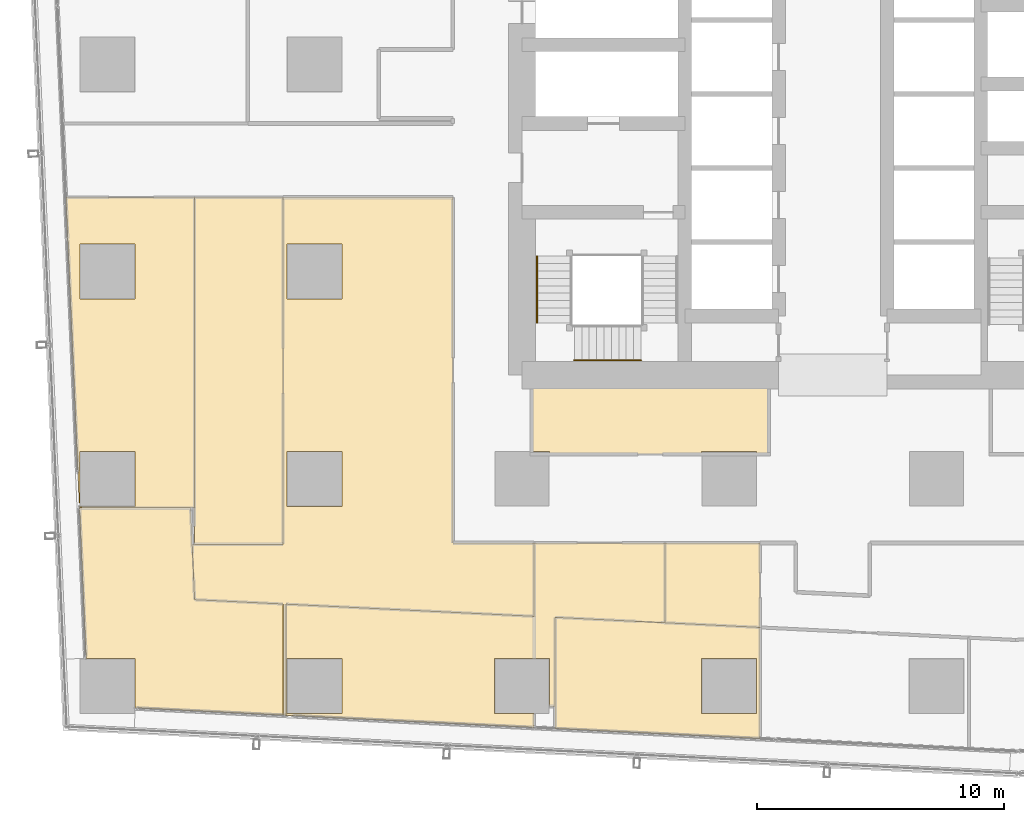
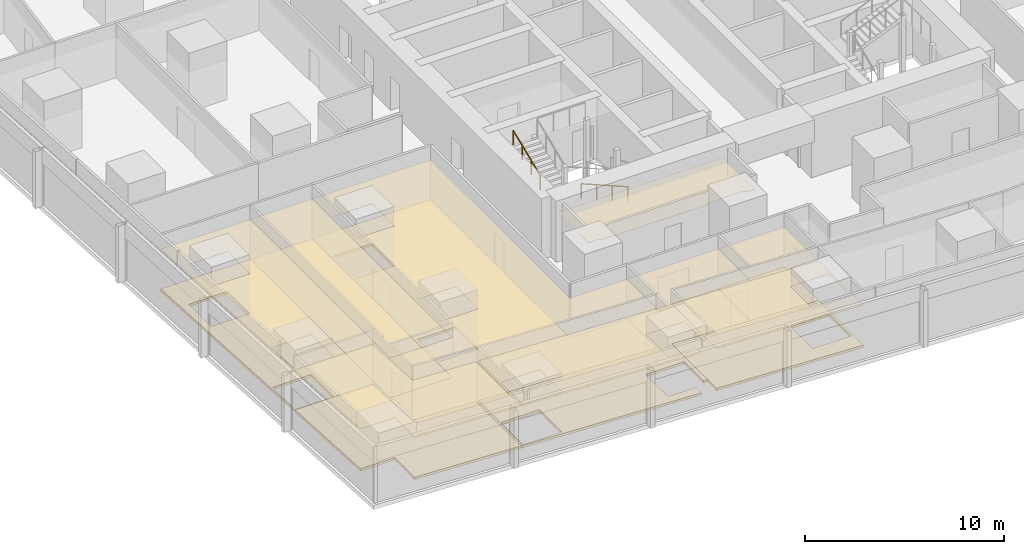
# One storey, part 37 of 45: 15 coverings, 2 railings.
"""IFC4 building model written with IfcOpenShell, lengths in metres."""

from ifc_helpers import new_model, si_unit, direction, frame, origin, origin_2d, place, context, subcontext, project, spatial, polyline, circle, outline, extrude, material, layer, layer_set, type_object, element, save


model = new_model("IFC4")

# Units and contexts
model_context = context("Model", 3, precision=1e-05, world=origin(), true_north=direction((0.0, 1.0)))
body_context = subcontext(model_context, "Body", "Model", "MODEL_VIEW")
ifc_project = project(units=[si_unit("LENGTHUNIT", "METRE"), si_unit("AREAUNIT", "SQUARE_METRE"), si_unit("VOLUMEUNIT", "CUBIC_METRE"), si_unit("PLANEANGLEUNIT", "RADIAN"), si_unit("MASSUNIT", "GRAM", prefix="KILO")], contexts=[model_context])

# Site, building, storey
site_placement = place(None, origin())
site = spatial("IfcSite", under=ifc_project, at=site_placement, CompositionType="ELEMENT")
building_placement = place(site_placement, origin())
building = spatial("IfcBuilding", under=site, at=building_placement, Name="Rekha Terrace Tower", CompositionType="ELEMENT")
storey_placement = place(building_placement, frame((0.0, 0.0, 36.64990234375)))
storey = spatial("IfcBuildingStorey", under=building, at=storey_placement, Name="L08", CompositionType="ELEMENT", Elevation=36.64990234375)

# Coverings
ifc_material_1 = material(Name="Mineral fibre tile in exposed grid", Category="finish")
ifc_layer_1 = layer(ifc_material_1, 0.02001953125)
ifc_layer_set_1 = layer_set([ifc_layer_1], Name="Mineral fibre tile in exposed grid")
covering_type_1 = type_object("IfcCoveringType", Name="CL1 600x1200 office grid ceiling", PredefinedType="CEILING", material=ifc_layer_set_1)
covering_1_placement = place(storey_placement, frame((0.0, 0.0, 2.580078125)))
element("IfcCovering", 1, at=covering_1_placement, inside=storey, type_object=covering_type_1, Name="Ceiling L08-06", PredefinedType="CEILING", context=body_context, shape_type="SweptSolid", body=[
    extrude(outline(polyline([(34.840087890625, 6.27392578125), (34.840087890625, 10.780029296875), (26.548095703125, 11.18701171875), (26.548095703125, 6.680908203125), (34.840087890625, 6.27392578125)]), holes=[polyline([(34.715087890625, 7.284912109375), (32.485107421875, 7.284912109375), (32.485107421875, 9.514892578125), (34.715087890625, 9.514892578125), (34.715087890625, 7.284912109375)])]), origin(), (0.0, 0.0, 1.0), 0.02001953125),
])
covering_2_placement = place(storey_placement, frame((0.0, 0.0, 2.580078125)))
element("IfcCovering", 2, at=covering_2_placement, inside=storey, type_object=covering_type_1, Name="Ceiling L08-07", PredefinedType="CEILING", context=body_context, shape_type="SweptSolid", body=[
    extrude(outline(polyline([(25.697021484375, 14.199951171875), (25.697021484375, 11.22900390625), (15.64306640625, 11.721923828125), (15.64306640625, 7.217041015625), (25.696044921875, 6.722900390625), (25.696044921875, 7.284912109375), (24.0849609375, 7.284912109375), (24.0849609375, 9.514892578125), (26.31494140625, 9.514892578125), (26.31494140625, 7.583984375), (26.548095703125, 7.583984375), (26.548095703125, 11.18701171875), (31.0, 10.968017578125), (31.0, 14.199951171875), (25.697021484375, 14.199951171875)]), holes=[polyline([(17.9150390625, 7.284912109375), (15.68505859375, 7.284912109375), (15.68505859375, 9.514892578125), (17.9150390625, 9.514892578125), (17.9150390625, 7.284912109375)])]), origin(), (0.0, 0.0, 1.0), 0.02001953125),
])
covering_3_placement = place(storey_placement, frame((0.0, 0.0, 2.580078125)))
element("IfcCovering", 3, at=covering_3_placement, inside=storey, type_object=covering_type_1, Name="Ceiling L08-08", PredefinedType="CEILING", context=body_context, shape_type="SweptSolid", body=[
    extrude(outline(polyline([(34.840087890625, 10.780029296875), (34.840087890625, 14.199951171875), (31.0, 14.199951171875), (31.0, 10.968017578125), (34.840087890625, 10.780029296875)])), origin(), (0.0, 0.0, 1.0), 0.02001953125),
])
covering_4_placement = place(storey_placement, frame((0.0, 0.0, 2.580078125)))
element("IfcCovering", 4, at=covering_4_placement, inside=storey, type_object=covering_type_1, Name="Ceiling L08-22", PredefinedType="CEILING", context=body_context, shape_type="SweptSolid", body=[
    extrude(outline(polyline([(7.258056640625, 15.820068359375), (7.284912109375, 15.821044921875), (7.284912109375, 17.9150390625), (9.514892578125, 17.9150390625), (9.514892578125, 15.68505859375), (7.263916015625, 15.68505859375), (7.26611328125, 15.64306640625), (11.93408203125, 15.64306640625), (11.93408203125, 28.199951171875), (6.717041015625, 28.199951171875), (6.79296875, 26.448974609375), (7.157958984375, 18.116943359375), (7.258056640625, 15.820068359375)]), holes=[polyline([(9.514892578125, 24.0849609375), (7.284912109375, 24.0849609375), (7.284912109375, 26.31494140625), (9.514892578125, 26.31494140625), (9.514892578125, 24.0849609375)])]), origin(), (0.0, 0.0, 1.0), 0.02001953125),
])
covering_5_placement = place(storey_placement, frame((0.0, 0.0, 2.580078125)))
element("IfcCovering", 5, at=covering_5_placement, inside=storey, type_object=covering_type_1, Name="Ceiling L08-23", PredefinedType="CEILING", context=body_context, shape_type="SweptSolid", body=[
    extrude(outline(polyline([(11.93408203125, 11.904052734375), (11.77001953125, 15.64306640625), (7.26611328125, 15.64306640625), (7.533935546875, 9.514892578125), (9.514892578125, 9.514892578125), (9.514892578125, 7.51806640625), (15.52392578125, 7.222900390625), (15.52392578125, 11.72802734375), (11.93408203125, 11.904052734375)])), origin(), (0.0, 0.0, 1.0), 0.02001953125),
])
covering_6_placement = place(storey_placement, frame((0.0, 0.0, 2.580078125)))
element("IfcCovering", 6, at=covering_6_placement, inside=storey, type_object=covering_type_1, Name="Ceiling L08-24", PredefinedType="CEILING", context=body_context, shape_type="SweptSolid", body=[
    extrude(outline(polyline([(11.93408203125, 14.14990234375), (15.52392578125, 14.14990234375), (15.52392578125, 28.199951171875), (11.93408203125, 28.199951171875), (11.93408203125, 14.14990234375)])), origin(), (0.0, 0.0, 1.0), 0.02001953125),
])
covering_7_placement = place(storey_placement, frame((0.0, 0.0, 2.580078125)))
element("IfcCovering", 7, at=covering_7_placement, inside=storey, type_object=covering_type_1, Name="Ceiling L08-O6", PredefinedType="CEILING", context=body_context, shape_type="SweptSolid", body=[
    extrude(outline(polyline([(15.52392578125, 28.199951171875), (15.52392578125, 14.14990234375), (11.8349609375, 14.14990234375), (11.93408203125, 11.904052734375), (15.52392578125, 11.72802734375), (15.52392578125, 7.222900390625), (15.64306640625, 7.217041015625), (15.64306640625, 11.721923828125), (25.697021484375, 11.22900390625), (25.697021484375, 14.199951171875), (22.39990234375, 14.199951171875), (22.39990234375, 28.199951171875), (15.52392578125, 28.199951171875)]), holes=[polyline([(17.9150390625, 15.68505859375), (15.68505859375, 15.68505859375), (15.68505859375, 17.9150390625), (17.9150390625, 17.9150390625), (17.9150390625, 15.68505859375)]), polyline([(17.9150390625, 24.0849609375), (15.68505859375, 24.0849609375), (15.68505859375, 26.31494140625), (17.9150390625, 26.31494140625), (17.9150390625, 24.0849609375)])]), origin(), (0.0, 0.0, 1.0), 0.02001953125),
])
ifc_material_2 = material(Name="Fibre cement board", Category="finish")
ifc_layer_2 = layer(ifc_material_2, 0.014892578125)
ifc_layer_set_2 = layer_set([ifc_layer_2], Name="Fibre cement board")
covering_type_2 = type_object("IfcCoveringType", Name="CL2 moisture-resistant board ceiling", PredefinedType="CEILING", material=ifc_layer_set_2)
covering_8_placement = place(storey_placement, frame((0.0, 0.0, 2.585205078125)))
element("IfcCovering", 8, at=covering_8_placement, inside=storey, type_object=covering_type_2, Name="Ceiling L08-WCM", PredefinedType="CEILING", context=body_context, shape_type="SweptSolid", body=[
    extrude(outline(polyline([(35.199951171875, 21.0), (25.60009765625, 21.0), (25.60009765625, 17.9150390625), (26.31494140625, 17.9150390625), (26.31494140625, 17.800048828125), (32.485107421875, 17.800048828125), (32.485107421875, 17.9150390625), (34.715087890625, 17.9150390625), (34.715087890625, 17.800048828125), (35.199951171875, 17.800048828125), (35.199951171875, 21.0)])), origin(), (0.0, 0.0, 1.0), 0.014892578125),
])

# Railings
ifc_material_3 = material(Name="Stainless steel tube", Category="steel")
railing_type = type_object("IfcRailingType", Name="HR1 900 stair handrail", PredefinedType="HANDRAIL", material=ifc_material_3)
railing_1_placement = place(storey_placement, frame((30.02490234375, 21.610107421875, 1.375)))
element("IfcRailing", 9, at=railing_1_placement, inside=storey, type_object=railing_type, Name="Handrail ST1 L08 flight 2", PredefinedType="HANDRAIL", context=body_context, shape_type="SweptSolid", body=[
    extrude(circle(Radius=0.02392578125, at=origin_2d()), frame((0.0, 0.0, 0.8759765625), z_axis=(-0.923074453586, 0.0, 0.384621311341), x_axis=(0.0, -1.0, 0.0)), (0.0, 0.0, 1.0), 2.925048828125),
    extrude(circle(Radius=0.02099609375, at=origin_2d()), origin(), (0.0, 0.0, 1.0), 0.851806640625),
    extrude(circle(Radius=0.02099609375, at=origin_2d()), frame((-0.89990234375, 0.0, 0.375)), (0.0, 0.0, 1.0), 0.851806640625),
    extrude(circle(Radius=0.02099609375, at=origin_2d()), frame((-1.800048828125, 0.0, 0.75)), (0.0, 0.0, 1.0), 0.851806640625),
    extrude(circle(Radius=0.02099609375, at=origin_2d()), frame((-2.699951171875, 0.0, 1.125)), (0.0, 0.0, 1.0), 0.851806640625),
])
railing_2_placement = place(storey_placement, frame((25.81005859375, 23.125, 2.625)))
element("IfcRailing", 10, at=railing_2_placement, inside=storey, type_object=railing_type, Name="Handrail ST1 L08 flight 3", PredefinedType="HANDRAIL", context=body_context, shape_type="SweptSolid", body=[
    extrude(circle(Radius=0.02392578125, at=origin_2d()), frame((0.0, 0.0, 0.8759765625), z_axis=(0.0, 0.923074453586, 0.384621311341), x_axis=(-1.0, 0.0, 0.0)), (0.0, 0.0, 1.0), 2.925048828125),
    extrude(circle(Radius=0.02099609375, at=origin_2d()), origin(), (0.0, 0.0, 1.0), 0.851806640625),
    extrude(circle(Radius=0.02099609375, at=origin_2d()), frame((0.0, 0.89990234375, 0.375)), (0.0, 0.0, 1.0), 0.851806640625),
    extrude(circle(Radius=0.02099609375, at=origin_2d()), frame((0.0, 1.800048828125, 0.75)), (0.0, 0.0, 1.0), 0.851806640625),
    extrude(circle(Radius=0.02099609375, at=origin_2d()), frame((0.0, 2.699951171875, 1.125)), (0.0, 0.0, 1.0), 0.851806640625),
])

# Coverings
ifc_material_4 = material(Name="Calcium sulphate panels on steel pedestals", Category="steel")
ifc_layer_3 = layer(ifc_material_4, 0.14990234375)
ifc_layer_set_3 = layer_set([ifc_layer_3], Name="Calcium sulphate panels on steel pedestals")
covering_type_3 = type_object("IfcCoveringType", Name="RF1 150 raised access floor", PredefinedType="FLOORING", material=ifc_layer_set_3)
covering_9_placement = place(storey_placement, origin())
element("IfcCovering", 11, at=covering_9_placement, inside=storey, type_object=covering_type_3, Name="Raised floor L08-06", PredefinedType="FLOORING", context=body_context, shape_type="SweptSolid", body=[
    extrude(outline(polyline([(34.840087890625, 6.27392578125), (34.840087890625, 10.780029296875), (26.548095703125, 11.18701171875), (26.548095703125, 6.680908203125), (34.840087890625, 6.27392578125)]), holes=[polyline([(34.715087890625, 7.284912109375), (32.485107421875, 7.284912109375), (32.485107421875, 9.514892578125), (34.715087890625, 9.514892578125), (34.715087890625, 7.284912109375)])]), origin(), (0.0, 0.0, 1.0), 0.150146484375),
])
covering_10_placement = place(storey_placement, origin())
element("IfcCovering", 12, at=covering_10_placement, inside=storey, type_object=covering_type_3, Name="Raised floor L08-07", PredefinedType="FLOORING", context=body_context, shape_type="SweptSolid", body=[
    extrude(outline(polyline([(25.697021484375, 14.199951171875), (25.697021484375, 11.22900390625), (15.64306640625, 11.721923828125), (15.64306640625, 7.217041015625), (25.696044921875, 6.722900390625), (25.696044921875, 7.284912109375), (24.0849609375, 7.284912109375), (24.0849609375, 9.514892578125), (26.31494140625, 9.514892578125), (26.31494140625, 7.583984375), (26.548095703125, 7.583984375), (26.548095703125, 11.18701171875), (31.0, 10.968017578125), (31.0, 14.199951171875), (25.697021484375, 14.199951171875)]), holes=[polyline([(17.9150390625, 7.284912109375), (15.68505859375, 7.284912109375), (15.68505859375, 9.514892578125), (17.9150390625, 9.514892578125), (17.9150390625, 7.284912109375)])]), origin(), (0.0, 0.0, 1.0), 0.150146484375),
])
covering_11_placement = place(storey_placement, origin())
element("IfcCovering", 13, at=covering_11_placement, inside=storey, type_object=covering_type_3, Name="Raised floor L08-08", PredefinedType="FLOORING", context=body_context, shape_type="SweptSolid", body=[
    extrude(outline(polyline([(34.840087890625, 10.780029296875), (34.840087890625, 14.199951171875), (31.0, 14.199951171875), (31.0, 10.968017578125), (34.840087890625, 10.780029296875)])), origin(), (0.0, 0.0, 1.0), 0.150146484375),
])
covering_12_placement = place(storey_placement, origin())
element("IfcCovering", 14, at=covering_12_placement, inside=storey, type_object=covering_type_3, Name="Raised floor L08-22", PredefinedType="FLOORING", context=body_context, shape_type="SweptSolid", body=[
    extrude(outline(polyline([(7.258056640625, 15.820068359375), (7.284912109375, 15.821044921875), (7.284912109375, 17.9150390625), (9.514892578125, 17.9150390625), (9.514892578125, 15.68505859375), (7.263916015625, 15.68505859375), (7.26611328125, 15.64306640625), (11.93408203125, 15.64306640625), (11.93408203125, 28.199951171875), (6.717041015625, 28.199951171875), (6.79296875, 26.448974609375), (7.157958984375, 18.116943359375), (7.258056640625, 15.820068359375)]), holes=[polyline([(9.514892578125, 24.0849609375), (7.284912109375, 24.0849609375), (7.284912109375, 26.31494140625), (9.514892578125, 26.31494140625), (9.514892578125, 24.0849609375)])]), origin(), (0.0, 0.0, 1.0), 0.150146484375),
])
covering_13_placement = place(storey_placement, origin())
element("IfcCovering", 15, at=covering_13_placement, inside=storey, type_object=covering_type_3, Name="Raised floor L08-23", PredefinedType="FLOORING", context=body_context, shape_type="SweptSolid", body=[
    extrude(outline(polyline([(11.93408203125, 11.904052734375), (11.77001953125, 15.64306640625), (7.26611328125, 15.64306640625), (7.533935546875, 9.514892578125), (9.514892578125, 9.514892578125), (9.514892578125, 7.51806640625), (15.52392578125, 7.222900390625), (15.52392578125, 11.72802734375), (11.93408203125, 11.904052734375)])), origin(), (0.0, 0.0, 1.0), 0.150146484375),
])
covering_14_placement = place(storey_placement, origin())
element("IfcCovering", 16, at=covering_14_placement, inside=storey, type_object=covering_type_3, Name="Raised floor L08-24", PredefinedType="FLOORING", context=body_context, shape_type="SweptSolid", body=[
    extrude(outline(polyline([(11.93408203125, 14.14990234375), (15.52392578125, 14.14990234375), (15.52392578125, 28.199951171875), (11.93408203125, 28.199951171875), (11.93408203125, 14.14990234375)])), origin(), (0.0, 0.0, 1.0), 0.150146484375),
])
covering_15_placement = place(storey_placement, origin())
element("IfcCovering", 17, at=covering_15_placement, inside=storey, type_object=covering_type_3, Name="Raised floor L08-O6", PredefinedType="FLOORING", context=body_context, shape_type="SweptSolid", body=[
    extrude(outline(polyline([(15.52392578125, 28.199951171875), (15.52392578125, 14.14990234375), (11.8349609375, 14.14990234375), (11.93408203125, 11.904052734375), (15.52392578125, 11.72802734375), (15.52392578125, 7.222900390625), (15.64306640625, 7.217041015625), (15.64306640625, 11.721923828125), (25.697021484375, 11.22900390625), (25.697021484375, 14.199951171875), (22.39990234375, 14.199951171875), (22.39990234375, 28.199951171875), (15.52392578125, 28.199951171875)]), holes=[polyline([(17.9150390625, 15.68505859375), (15.68505859375, 15.68505859375), (15.68505859375, 17.9150390625), (17.9150390625, 17.9150390625), (17.9150390625, 15.68505859375)]), polyline([(17.9150390625, 24.0849609375), (15.68505859375, 24.0849609375), (15.68505859375, 26.31494140625), (17.9150390625, 26.31494140625), (17.9150390625, 24.0849609375)])]), origin(), (0.0, 0.0, 1.0), 0.150146484375),
])

save(model, "model.ifc")
